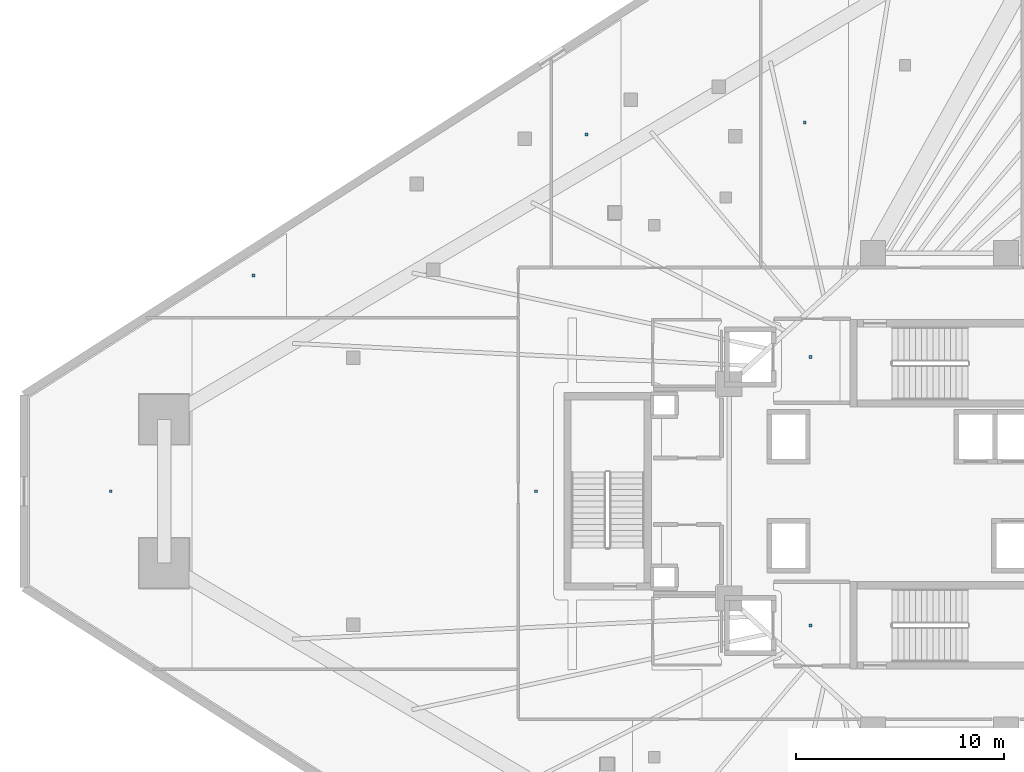
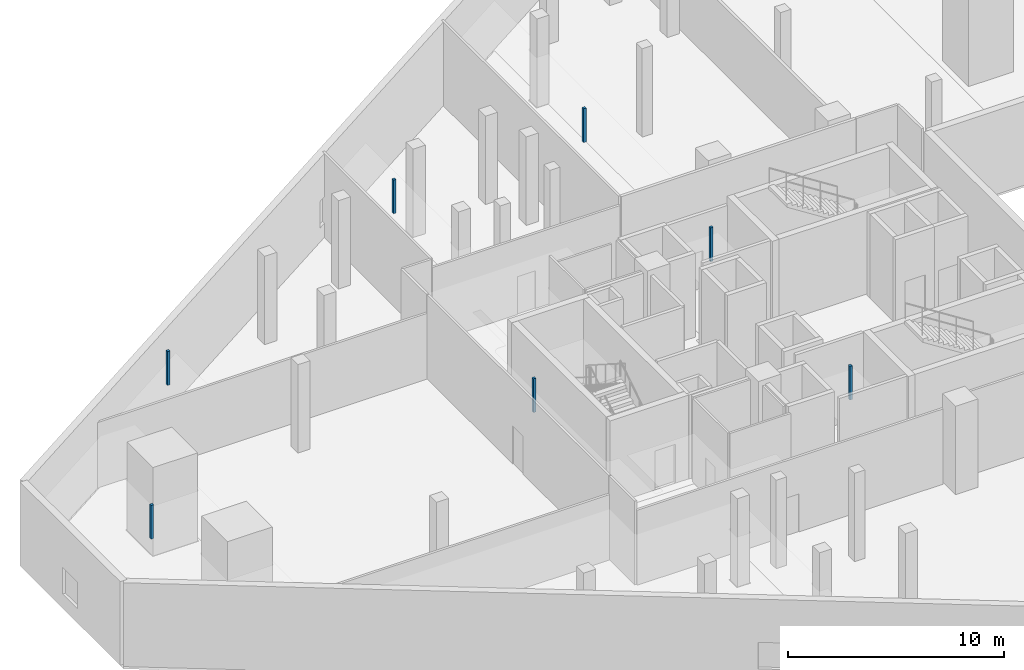
# One storey, part 36 of 46: 7 discrete accessories.
"""IFC4 building model written with IfcOpenShell, lengths in metres."""

from ifc_helpers import new_model, si_unit, direction, frame, origin, origin_2d, place, context, subcontext, project, spatial, rectangle, extrude, material, type_object, element, save


model = new_model("IFC4")

# Units and contexts
model_context = context("Model", 3, precision=1e-05, world=origin(), true_north=direction((0.0, 1.0)))
body_context = subcontext(model_context, "Body", "Model", "MODEL_VIEW")
ifc_project = project(units=[si_unit("LENGTHUNIT", "METRE"), si_unit("AREAUNIT", "SQUARE_METRE"), si_unit("VOLUMEUNIT", "CUBIC_METRE"), si_unit("PLANEANGLEUNIT", "RADIAN"), si_unit("MASSUNIT", "GRAM", prefix="KILO")], contexts=[model_context])

# Site, building, storey
site_placement = place(None, origin())
site = spatial("IfcSite", under=ifc_project, at=site_placement, CompositionType="ELEMENT")
building_placement = place(site_placement, origin())
building = spatial("IfcBuilding", under=site, at=building_placement, Name="Qorvath Tower", CompositionType="ELEMENT")
storey_placement = place(building_placement, frame((0.0, 0.0, 17.0)))
storey = spatial("IfcBuildingStorey", under=building, at=storey_placement, Name="L03", CompositionType="ELEMENT", Elevation=17.0)

# Discrete accessories
ifc_material = material(Name="Galvanised steel bracket", Category="steel")
discrete_accessory_type = type_object("IfcDiscreteAccessoryType", Name="DA-BRACKET", PredefinedType="BRACKET", material=ifc_material)
for number, where, z_axis, x_axis, name in (
    (1, (-26.590087890625, 6.449951171875, 2.85986328125), (0.0, 0.0, 1.0), (1.0, 0.0, 0.0), "Acoustic Ceiling Suspension Hanger T1-L03-001"),
    (2, (-26.590087890625, -6.449951171875, 2.85986328125), (0.0, 0.0, 1.0), (1.0, 0.0, 0.0), "Acoustic Ceiling Suspension Hanger T1-L03-002"),
    (3, (-39.797607421875, 0.0, 2.85986328125), (0.0, 0.0, 1.0), (1.0, 0.0, 0.0), "Acoustic Ceiling Suspension Hanger T1-L03-007"),
    (4, (-53.3818359375, 10.37548828125, 2.85986328125), (0.0, 0.0, 1.0), (1.0, 0.0, 0.0), "Acoustic Ceiling Suspension Hanger T1-L03-008"),
    (5, (-37.377685546875, 17.146484375, 2.85986328125), (0.0, 0.0, 1.0), (1.0, 0.0, 0.0), "Acoustic Ceiling Suspension Hanger T1-L03-009"),
    (6, (-26.87255859375, 17.727294921875, 2.85986328125), (0.0, 0.0, 1.0), (1.0, 0.0, 0.0), "Acoustic Ceiling Suspension Hanger T1-L03-010"),
    (7, (-60.247314453125, 0.0, 2.85986328125), (0.0, 0.0, 1.0), (1.0, 0.0, 0.0), "Acoustic Ceiling Suspension Hanger T1-L03-013"),
):
    element("IfcDiscreteAccessory", number, at=place(storey_placement, frame(where, z_axis=z_axis, x_axis=x_axis)), inside=storey, type_object=discrete_accessory_type, Name=name, PredefinedType="NOTDEFINED", context=body_context, shape_type="SweptSolid", body=[
        extrude(rectangle(XDim=0.139892578125, YDim=0.139892578125, at=origin_2d()), origin(), (0.0, 0.0, 1.0), 1.909912109375),
    ])

save(model, "model.ifc")
